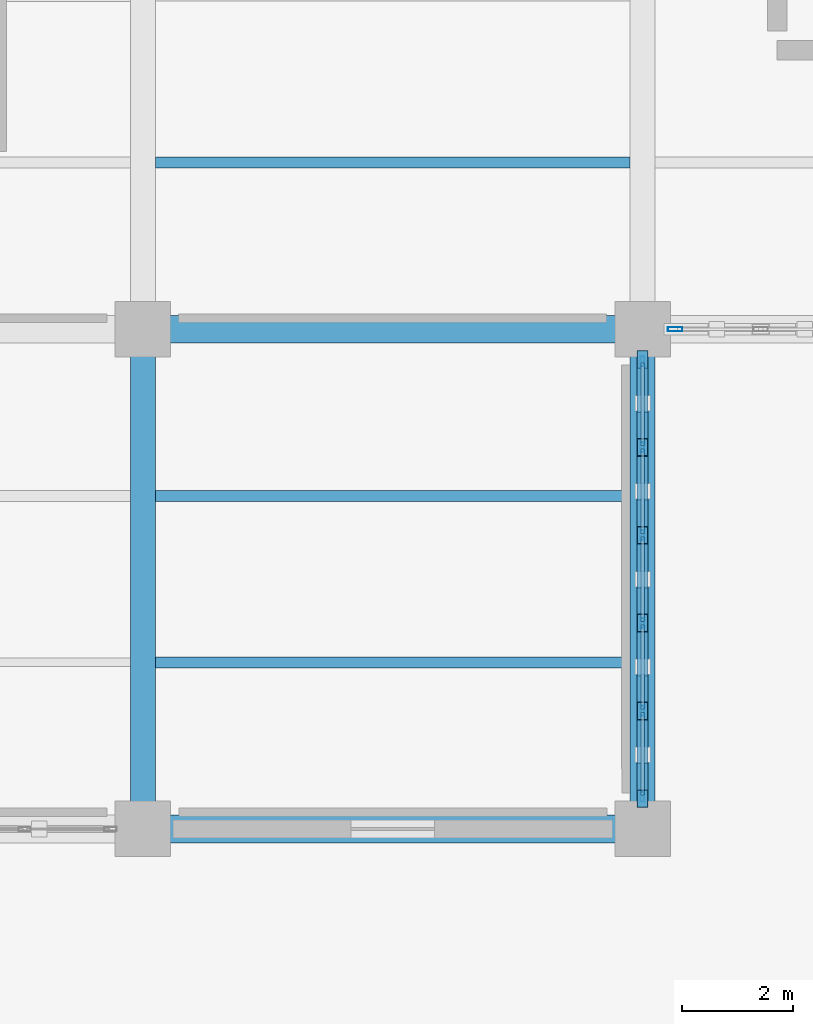
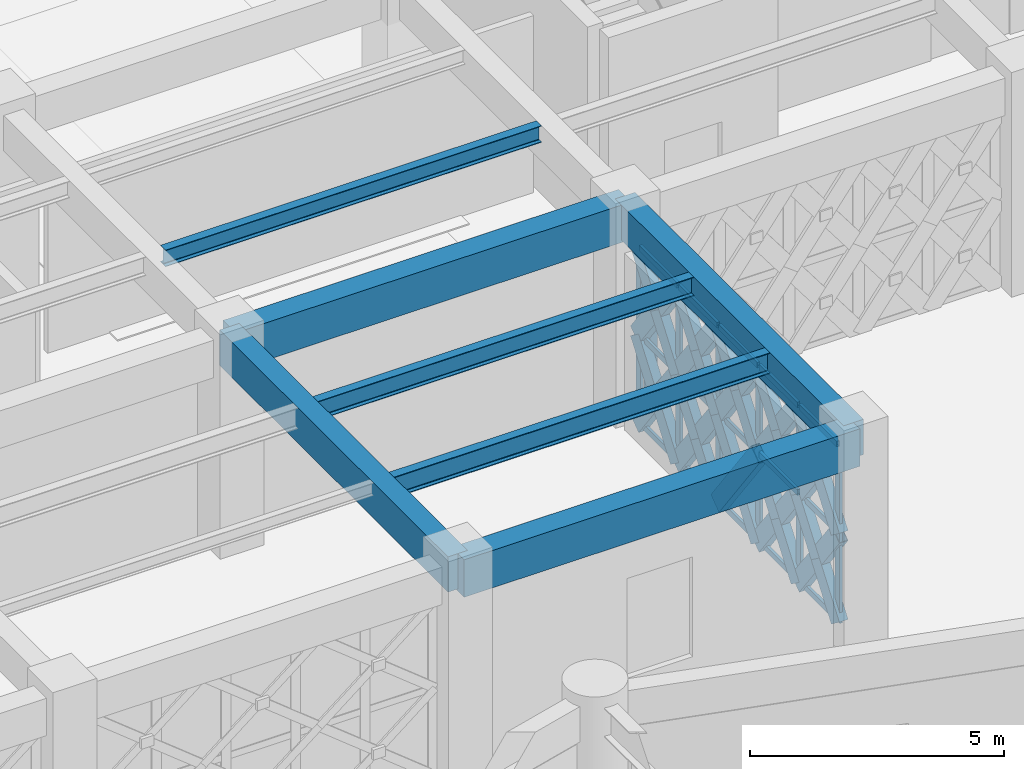
# One storey, part 58 of 140: 52 members, 7 beams, 2 elements without a shape of their own.
"""IFC4 building model written with IfcOpenShell, lengths in metres."""

from ifc_helpers import new_model, si_unit, direction, frame, origin, origin_2d, place, context, subcontext, project, spatial, rectangle, hollow_rectangle, i_section, extrude, material, material_profile, profile_set, type_object, element, aggregate, save


model = new_model("IFC4")

# Units and contexts
model_context = context("Model", 3, precision=1e-05, world=origin(), true_north=direction((0.0, 1.0)))
body_context = subcontext(model_context, "Body", "Model", "MODEL_VIEW")
ifc_project = project(units=[si_unit("LENGTHUNIT", "METRE"), si_unit("AREAUNIT", "SQUARE_METRE"), si_unit("VOLUMEUNIT", "CUBIC_METRE"), si_unit("PLANEANGLEUNIT", "RADIAN"), si_unit("MASSUNIT", "GRAM", prefix="KILO")], contexts=[model_context])

# Site, building, storey
site_placement = place(None, origin())
site = spatial("IfcSite", under=ifc_project, at=site_placement, CompositionType="ELEMENT")
building_placement = place(site_placement, origin())
building = spatial("IfcBuilding", under=site, at=building_placement, Name="Haizhuo Lancet Aquarium", CompositionType="ELEMENT")
storey_placement = place(building_placement, origin())
storey = spatial("IfcBuildingStorey", under=building, at=storey_placement, Name="L00", CompositionType="ELEMENT", Elevation=0.0)

# Beams
ifc_material_1 = material(Name="Concrete C40/50", Category="concrete")
ifc_material_profile_1 = material_profile(ifc_material_1, rectangle(XDim=0.449951171875, YDim=0.85009765625, at=origin_2d()), Name="RC-BM 450x850")
ifc_profile_set_1 = profile_set([ifc_material_profile_1], Name="Concrete C40/50")
beam_type_1 = type_object("IfcBeamType", Name="BM-RC-450x850", PredefinedType="BEAM", material=ifc_profile_set_1)
for number, where, z_axis, x_axis, name in (
    (1, (0.0, 27.0, 4.695068359375), (0.0, 1.0, 0.0), (-1.0, 0.0, 0.0), "L00 V5 primary girder BM-L00-V5-016"),
    (2, (9.0, 27.0, 4.695068359375), (0.0, 1.0, 0.0), (-1.0, 0.0, 0.0), "L00 V5 primary girder BM-L00-V5-023"),
):
    element("IfcBeam", number, at=place(storey_placement, frame(where, z_axis=z_axis, x_axis=x_axis)), inside=storey, type_object=beam_type_1, Name=name, PredefinedType="BEAM", context=body_context, shape_type="SweptSolid", body=[
        extrude(rectangle(XDim=0.449951171875, YDim=0.85009765625, at=origin_2d()), origin(), (0.0, 0.0, 1.0), 9.0),
    ])
ifc_material_profile_2 = material_profile(ifc_material_1, rectangle(XDim=0.5, YDim=0.89990234375, at=origin_2d()), Name="RC-BM 500x900")
ifc_profile_set_2 = profile_set([ifc_material_profile_2], Name="Concrete C40/50")
beam_type_2 = type_object("IfcBeamType", Name="BM-RC-500x900", PredefinedType="BEAM", material=ifc_profile_set_2)
for number, where, z_axis, x_axis, name in (
    (3, (0.0, 27.0, 4.669921875), (1.0, 0.0, 0.0), (0.0, 1.0, 0.0), "L00 V5 primary girder BM-L00-V5-017"),
    (4, (0.0, 36.0, 4.669921875), (1.0, 0.0, 0.0), (0.0, 1.0, 0.0), "L00 V5 primary girder BM-L00-V5-019"),
):
    element("IfcBeam", number, at=place(storey_placement, frame(where, z_axis=z_axis, x_axis=x_axis)), inside=storey, type_object=beam_type_2, Name=name, PredefinedType="BEAM", context=body_context, shape_type="SweptSolid", body=[
        extrude(rectangle(XDim=0.5, YDim=0.89990234375, at=origin_2d()), origin(), (0.0, 0.0, 1.0), 9.0),
    ])

# Curtain wall, members
ifc_material_2 = material(Name="Aluminium 6063-T6", Category="aluminium")
curtain_wall_type_1 = type_object("IfcCurtainWallType", Name="CWD-7910x4270", PredefinedType="NOTDEFINED", material=ifc_material_2)
curtain_wall_1_placement = place(storey_placement, origin())
curtain_wall_1 = element("IfcCurtainWall", 5, at=curtain_wall_1_placement, inside=storey, type_object=curtain_wall_type_1, Name="L00 curtain wall CW-V5-L00-124", PredefinedType="NOTDEFINED")
ifc_material_profile_3 = material_profile(ifc_material_2, hollow_rectangle(XDim=0.06494140625, YDim=0.179931640625, WallThickness=0.00390625, at=origin_2d()), Name="ALU-M 65x180x4")
ifc_profile_set_3 = profile_set([ifc_material_profile_3], Name="Aluminium 6063-T6")
member_type_1 = type_object("IfcMemberType", Name="CW-MUL-1", PredefinedType="MULLION", material=ifc_profile_set_3)
member_1_placement = place(storey_placement, frame((9.0, 35.422119140625, 0.0), z_axis=(0.0, 0.0, 1.0), x_axis=(1.0, 0.0, 0.0)))
member_1 = element("IfcMember", 6, at=member_1_placement, type_object=member_type_1, Name="CWD-79x42 mullion 1", PredefinedType="MULLION", context=body_context, shape_type="SweptSolid", body=[
    extrude(hollow_rectangle(XDim=0.06494140625, YDim=0.179931640625, WallThickness=0.00390625, at=origin_2d()), origin(), (0.0, 0.0, 1.0), 4.27001953125),
])
member_2_placement = place(storey_placement, frame((9.0, 33.873046875, 0.0), z_axis=(0.0, 0.0, 1.0), x_axis=(1.0, 0.0, 0.0)))
member_2 = element("IfcMember", 7, at=member_2_placement, type_object=member_type_1, Name="CWD-79x42 mullion 2", PredefinedType="MULLION", context=body_context, shape_type="SweptSolid", body=[
    extrude(hollow_rectangle(XDim=0.06494140625, YDim=0.179931640625, WallThickness=0.00390625, at=origin_2d()), origin(), (0.0, 0.0, 1.0), 4.27001953125),
])
member_3_placement = place(storey_placement, frame((9.0, 32.291015625, 0.0), z_axis=(0.0, 0.0, 1.0), x_axis=(1.0, 0.0, 0.0)))
member_3 = element("IfcMember", 8, at=member_3_placement, type_object=member_type_1, Name="CWD-79x42 mullion 3", PredefinedType="MULLION", context=body_context, shape_type="SweptSolid", body=[
    extrude(hollow_rectangle(XDim=0.06494140625, YDim=0.179931640625, WallThickness=0.00390625, at=origin_2d()), origin(), (0.0, 0.0, 1.0), 4.27001953125),
])
member_4_placement = place(storey_placement, frame((9.0, 30.708984375, 0.0), z_axis=(0.0, 0.0, 1.0), x_axis=(1.0, 0.0, 0.0)))
member_4 = element("IfcMember", 9, at=member_4_placement, type_object=member_type_1, Name="CWD-79x42 mullion 4", PredefinedType="MULLION", context=body_context, shape_type="SweptSolid", body=[
    extrude(hollow_rectangle(XDim=0.06494140625, YDim=0.179931640625, WallThickness=0.00390625, at=origin_2d()), origin(), (0.0, 0.0, 1.0), 4.27001953125),
])
member_5_placement = place(storey_placement, frame((9.0, 29.126953125, 0.0), z_axis=(0.0, 0.0, 1.0), x_axis=(1.0, 0.0, 0.0)))
member_5 = element("IfcMember", 10, at=member_5_placement, type_object=member_type_1, Name="CWD-79x42 mullion 5", PredefinedType="MULLION", context=body_context, shape_type="SweptSolid", body=[
    extrude(hollow_rectangle(XDim=0.06494140625, YDim=0.179931640625, WallThickness=0.00390625, at=origin_2d()), origin(), (0.0, 0.0, 1.0), 4.27001953125),
])
member_6_placement = place(storey_placement, frame((9.0, 27.577880859375, 0.0), z_axis=(0.0, 0.0, 1.0), x_axis=(1.0, 0.0, 0.0)))
member_6 = element("IfcMember", 11, at=member_6_placement, type_object=member_type_1, Name="CWD-79x42 mullion 6", PredefinedType="MULLION", context=body_context, shape_type="SweptSolid", body=[
    extrude(hollow_rectangle(XDim=0.06494140625, YDim=0.179931640625, WallThickness=0.00390625, at=origin_2d()), origin(), (0.0, 0.0, 1.0), 4.27001953125),
])

# Curtain wall, member
curtain_wall_type_2 = type_object("IfcCurtainWallType", Name="CWD-7910x4220", PredefinedType="NOTDEFINED", material=ifc_material_2)
curtain_wall_2_placement = place(storey_placement, origin())
curtain_wall_2 = element("IfcCurtainWall", 12, at=curtain_wall_2_placement, inside=storey, type_object=curtain_wall_type_2, Name="L00 curtain wall CW-V5-L00-123", PredefinedType="NOTDEFINED")
ifc_material_profile_4 = material_profile(ifc_material_2, hollow_rectangle(XDim=0.080078125, YDim=0.260009765625, WallThickness=0.0048828125, at=origin_2d()), Name="ALU-M 80x260x5")
ifc_profile_set_4 = profile_set([ifc_material_profile_4], Name="Aluminium 6063-T6")
member_type_2 = type_object("IfcMemberType", Name="CW-MUL-3", PredefinedType="MULLION", material=ifc_profile_set_4)
member_7_placement = place(storey_placement, frame((9.5849609375, 36.0, 0.0), z_axis=(0.0, 0.0, 1.0), x_axis=(0.0, -1.0, 0.0)))
member_7 = element("IfcMember", 13, at=member_7_placement, type_object=member_type_2, Name="CWD-79x42 mullion 6", PredefinedType="MULLION", context=body_context, shape_type="SweptSolid", body=[
    extrude(hollow_rectangle(XDim=0.080078125, YDim=0.260009765625, WallThickness=0.0048828125, at=origin_2d()), origin(), (0.0, 0.0, 1.0), 4.219970703125),
])
aggregate(curtain_wall_2, [member_7])

# Member
ifc_material_profile_5 = material_profile(ifc_material_2, hollow_rectangle(XDim=0.06494140625, YDim=0.139892578125, WallThickness=0.00390625, at=origin_2d()), Name="ALU-T 65x140x4")
ifc_profile_set_5 = profile_set([ifc_material_profile_5], Name="Aluminium 6063-T6")
member_type_3 = type_object("IfcMemberType", Name="CW-TRN-1", PredefinedType="NOTDEFINED", material=ifc_profile_set_5)
member_8_placement = place(storey_placement, frame((9.0, 35.389892578125, 0.032958984375), z_axis=(0.0, -1.0, 0.0), x_axis=(1.0, 0.0, 0.0)))
member_8 = element("IfcMember", 14, at=member_8_placement, type_object=member_type_3, Name="CWD-79x42 transom 1.1", ObjectType="TRANSOM", PredefinedType="USERDEFINED", context=body_context, shape_type="SweptSolid", body=[
    extrude(hollow_rectangle(XDim=0.06494140625, YDim=0.139892578125, WallThickness=0.00390625, at=origin_2d()), origin(), (0.0, 0.0, 1.0), 1.48486328125),
])

member_9_placement = place(storey_placement, frame((9.0, 35.389892578125, 2.135009765625), z_axis=(0.0, -1.0, 0.0), x_axis=(1.0, 0.0, 0.0)))
member_9 = element("IfcMember", 15, at=member_9_placement, type_object=member_type_3, Name="CWD-79x42 transom 1.2", ObjectType="TRANSOM", PredefinedType="USERDEFINED", context=body_context, shape_type="SweptSolid", body=[
    extrude(hollow_rectangle(XDim=0.06494140625, YDim=0.139892578125, WallThickness=0.00390625, at=origin_2d()), origin(), (0.0, 0.0, 1.0), 1.48486328125),
])

member_10_placement = place(storey_placement, frame((9.0, 35.389892578125, 4.237060546875), z_axis=(0.0, -1.0, 0.0), x_axis=(1.0, 0.0, 0.0)))
member_10 = element("IfcMember", 16, at=member_10_placement, type_object=member_type_3, Name="CWD-79x42 transom 1.3", ObjectType="TRANSOM", PredefinedType="USERDEFINED", context=body_context, shape_type="SweptSolid", body=[
    extrude(hollow_rectangle(XDim=0.06494140625, YDim=0.139892578125, WallThickness=0.00390625, at=origin_2d()), origin(), (0.0, 0.0, 1.0), 1.48486328125),
])

member_11_placement = place(storey_placement, frame((9.0, 33.840087890625, 0.032958984375), z_axis=(0.0, -1.0, 0.0), x_axis=(1.0, 0.0, 0.0)))
member_11 = element("IfcMember", 17, at=member_11_placement, type_object=member_type_3, Name="CWD-79x42 transom 2.1", ObjectType="TRANSOM", PredefinedType="USERDEFINED", context=body_context, shape_type="SweptSolid", body=[
    extrude(hollow_rectangle(XDim=0.06494140625, YDim=0.139892578125, WallThickness=0.00390625, at=origin_2d()), origin(), (0.0, 0.0, 1.0), 1.51611328125),
])

member_12_placement = place(storey_placement, frame((9.0, 33.840087890625, 2.135009765625), z_axis=(0.0, -1.0, 0.0), x_axis=(1.0, 0.0, 0.0)))
member_12 = element("IfcMember", 18, at=member_12_placement, type_object=member_type_3, Name="CWD-79x42 transom 2.2", ObjectType="TRANSOM", PredefinedType="USERDEFINED", context=body_context, shape_type="SweptSolid", body=[
    extrude(hollow_rectangle(XDim=0.06494140625, YDim=0.139892578125, WallThickness=0.00390625, at=origin_2d()), origin(), (0.0, 0.0, 1.0), 1.51611328125),
])

member_13_placement = place(storey_placement, frame((9.0, 33.840087890625, 4.237060546875), z_axis=(0.0, -1.0, 0.0), x_axis=(1.0, 0.0, 0.0)))
member_13 = element("IfcMember", 19, at=member_13_placement, type_object=member_type_3, Name="CWD-79x42 transom 2.3", ObjectType="TRANSOM", PredefinedType="USERDEFINED", context=body_context, shape_type="SweptSolid", body=[
    extrude(hollow_rectangle(XDim=0.06494140625, YDim=0.139892578125, WallThickness=0.00390625, at=origin_2d()), origin(), (0.0, 0.0, 1.0), 1.51611328125),
])

member_14_placement = place(storey_placement, frame((9.0, 32.258056640625, 0.032958984375), z_axis=(0.0, -1.0, 0.0), x_axis=(1.0, 0.0, 0.0)))
member_14 = element("IfcMember", 20, at=member_14_placement, type_object=member_type_3, Name="CWD-79x42 transom 3.1", ObjectType="TRANSOM", PredefinedType="USERDEFINED", context=body_context, shape_type="SweptSolid", body=[
    extrude(hollow_rectangle(XDim=0.06494140625, YDim=0.139892578125, WallThickness=0.00390625, at=origin_2d()), origin(), (0.0, 0.0, 1.0), 1.51708984375),
])

member_15_placement = place(storey_placement, frame((9.0, 32.258056640625, 2.135009765625), z_axis=(0.0, -1.0, 0.0), x_axis=(1.0, 0.0, 0.0)))
member_15 = element("IfcMember", 21, at=member_15_placement, type_object=member_type_3, Name="CWD-79x42 transom 3.2", ObjectType="TRANSOM", PredefinedType="USERDEFINED", context=body_context, shape_type="SweptSolid", body=[
    extrude(hollow_rectangle(XDim=0.06494140625, YDim=0.139892578125, WallThickness=0.00390625, at=origin_2d()), origin(), (0.0, 0.0, 1.0), 1.51708984375),
])

member_16_placement = place(storey_placement, frame((9.0, 32.258056640625, 4.237060546875), z_axis=(0.0, -1.0, 0.0), x_axis=(1.0, 0.0, 0.0)))
member_16 = element("IfcMember", 22, at=member_16_placement, type_object=member_type_3, Name="CWD-79x42 transom 3.3", ObjectType="TRANSOM", PredefinedType="USERDEFINED", context=body_context, shape_type="SweptSolid", body=[
    extrude(hollow_rectangle(XDim=0.06494140625, YDim=0.139892578125, WallThickness=0.00390625, at=origin_2d()), origin(), (0.0, 0.0, 1.0), 1.51708984375),
])

member_17_placement = place(storey_placement, frame((9.0, 30.677001953125, 0.032958984375), z_axis=(0.0, -1.0, 0.0), x_axis=(1.0, 0.0, 0.0)))
member_17 = element("IfcMember", 23, at=member_17_placement, type_object=member_type_3, Name="CWD-79x42 transom 4.1", ObjectType="TRANSOM", PredefinedType="USERDEFINED", context=body_context, shape_type="SweptSolid", body=[
    extrude(hollow_rectangle(XDim=0.06494140625, YDim=0.139892578125, WallThickness=0.00390625, at=origin_2d()), origin(), (0.0, 0.0, 1.0), 1.51708984375),
])

member_18_placement = place(storey_placement, frame((9.0, 30.677001953125, 2.135009765625), z_axis=(0.0, -1.0, 0.0), x_axis=(1.0, 0.0, 0.0)))
member_18 = element("IfcMember", 24, at=member_18_placement, type_object=member_type_3, Name="CWD-79x42 transom 4.2", ObjectType="TRANSOM", PredefinedType="USERDEFINED", context=body_context, shape_type="SweptSolid", body=[
    extrude(hollow_rectangle(XDim=0.06494140625, YDim=0.139892578125, WallThickness=0.00390625, at=origin_2d()), origin(), (0.0, 0.0, 1.0), 1.51708984375),
])

member_19_placement = place(storey_placement, frame((9.0, 30.677001953125, 4.237060546875), z_axis=(0.0, -1.0, 0.0), x_axis=(1.0, 0.0, 0.0)))
member_19 = element("IfcMember", 25, at=member_19_placement, type_object=member_type_3, Name="CWD-79x42 transom 4.3", ObjectType="TRANSOM", PredefinedType="USERDEFINED", context=body_context, shape_type="SweptSolid", body=[
    extrude(hollow_rectangle(XDim=0.06494140625, YDim=0.139892578125, WallThickness=0.00390625, at=origin_2d()), origin(), (0.0, 0.0, 1.0), 1.51708984375),
])

member_20_placement = place(storey_placement, frame((9.0, 29.094970703125, 0.032958984375), z_axis=(0.0, -1.0, 0.0), x_axis=(1.0, 0.0, 0.0)))
member_20 = element("IfcMember", 26, at=member_20_placement, type_object=member_type_3, Name="CWD-79x42 transom 5.1", ObjectType="TRANSOM", PredefinedType="USERDEFINED", context=body_context, shape_type="SweptSolid", body=[
    extrude(hollow_rectangle(XDim=0.06494140625, YDim=0.139892578125, WallThickness=0.00390625, at=origin_2d()), origin(), (0.0, 0.0, 1.0), 1.48486328125),
])

member_21_placement = place(storey_placement, frame((9.0, 29.094970703125, 2.135009765625), z_axis=(0.0, -1.0, 0.0), x_axis=(1.0, 0.0, 0.0)))
member_21 = element("IfcMember", 27, at=member_21_placement, type_object=member_type_3, Name="CWD-79x42 transom 5.2", ObjectType="TRANSOM", PredefinedType="USERDEFINED", context=body_context, shape_type="SweptSolid", body=[
    extrude(hollow_rectangle(XDim=0.06494140625, YDim=0.139892578125, WallThickness=0.00390625, at=origin_2d()), origin(), (0.0, 0.0, 1.0), 1.48486328125),
])

member_22_placement = place(storey_placement, frame((9.0, 29.094970703125, 4.237060546875), z_axis=(0.0, -1.0, 0.0), x_axis=(1.0, 0.0, 0.0)))
member_22 = element("IfcMember", 28, at=member_22_placement, type_object=member_type_3, Name="CWD-79x42 transom 5.3", ObjectType="TRANSOM", PredefinedType="USERDEFINED", context=body_context, shape_type="SweptSolid", body=[
    extrude(hollow_rectangle(XDim=0.06494140625, YDim=0.139892578125, WallThickness=0.00390625, at=origin_2d()), origin(), (0.0, 0.0, 1.0), 1.48486328125),
])

aggregate(curtain_wall_1, [member_1, member_2, member_3, member_4, member_5, member_6, member_8, member_9, member_10, member_11, member_12, member_13, member_14, member_15, member_16, member_17, member_18, member_19, member_20, member_21, member_22])

# Beams
ifc_material_3 = material(Name="Steel S355", Category="steel")
ifc_material_profile_6 = material_profile(ifc_material_3, i_section(OverallWidth=0.199951171875, OverallDepth=0.39990234375, WebThickness=0.008056640625, FlangeThickness=0.012939453125, FilletRadius=0.01611328125, at=origin_2d()), Name="HN 400x200x8x13")
ifc_profile_set_6 = profile_set([ifc_material_profile_6], Name="Steel S355")
beam_type_3 = type_object("IfcBeamType", Name="JST-ST-HN400", PredefinedType="JOIST", material=ifc_profile_set_6)
beam_1_placement = place(storey_placement, frame((0.22509765625, 39.0, 4.919921875), z_axis=(1.0, 0.0, 0.0), x_axis=(0.0, 1.0, 0.0)))
element("IfcBeam", 29, at=beam_1_placement, inside=storey, type_object=beam_type_3, Name="L00 V5 secondary floor joist 16", PredefinedType="JOIST", context=body_context, shape_type="SweptSolid", body=[
    extrude(i_section(OverallWidth=0.199951171875, OverallDepth=0.39990234375, WebThickness=0.008056640625, FlangeThickness=0.012939453125, FilletRadius=0.01611328125, at=origin_2d()), origin(), (0.0, 0.0, 1.0), 8.5498046875),
])
ifc_material_profile_7 = material_profile(ifc_material_3, i_section(OverallWidth=0.199951171875, OverallDepth=0.449951171875, WebThickness=0.009033203125, FlangeThickness=0.013916015625, FilletRadius=0.01806640625, at=origin_2d()), Name="HN 450x200x9x14")
ifc_profile_set_7 = profile_set([ifc_material_profile_7], Name="Steel S355")
beam_type_4 = type_object("IfcBeamType", Name="JST-ST-HN450", PredefinedType="JOIST", material=ifc_profile_set_7)
beam_2_placement = place(storey_placement, frame((0.22509765625, 33.0, 4.89501953125), z_axis=(1.0, 0.0, 0.0), x_axis=(0.0, 1.0, 0.0)))
element("IfcBeam", 30, at=beam_2_placement, inside=storey, type_object=beam_type_4, Name="L00 V5 secondary floor joist 15", PredefinedType="JOIST", context=body_context, shape_type="SweptSolid", body=[
    extrude(i_section(OverallWidth=0.199951171875, OverallDepth=0.449951171875, WebThickness=0.009033203125, FlangeThickness=0.013916015625, FilletRadius=0.01806640625, at=origin_2d()), origin(), (0.0, 0.0, 1.0), 8.5498046875),
])
ifc_material_profile_8 = material_profile(ifc_material_3, i_section(OverallWidth=0.199951171875, OverallDepth=0.5, WebThickness=0.010009765625, FlangeThickness=0.01611328125, FilletRadius=0.02001953125, at=origin_2d()), Name="HN 500x200x10x16")
ifc_profile_set_8 = profile_set([ifc_material_profile_8], Name="Steel S355")
beam_type_5 = type_object("IfcBeamType", Name="JST-ST-HN500", PredefinedType="JOIST", material=ifc_profile_set_8)
beam_3_placement = place(storey_placement, frame((0.22509765625, 30.0, 4.8701171875), z_axis=(1.0, 0.0, 0.0), x_axis=(0.0, 1.0, 0.0)))
element("IfcBeam", 31, at=beam_3_placement, inside=storey, type_object=beam_type_5, Name="L00 V5 secondary floor joist 14", PredefinedType="JOIST", context=body_context, shape_type="SweptSolid", body=[
    extrude(i_section(OverallWidth=0.199951171875, OverallDepth=0.5, WebThickness=0.010009765625, FlangeThickness=0.01611328125, FilletRadius=0.02001953125, at=origin_2d()), origin(), (0.0, 0.0, 1.0), 8.5498046875),
])

# Members
ifc_material_profile_9 = material_profile(ifc_material_3, hollow_rectangle(XDim=0.199951171875, YDim=0.39990234375, WallThickness=0.011962890625, at=origin_2d()), Name="RHS 200x400x12")
ifc_profile_set_9 = profile_set([ifc_material_profile_9], Name="Steel S355")
member_type_4 = type_object("IfcMemberType", Name="MEM-LB-RHS200x400", PredefinedType="BRACE", material=ifc_profile_set_9)
member_23_placement = place(storey_placement, frame((9.0, 35.455078125, 0.0), z_axis=(0.0, -0.595359375958, 0.803459528202), x_axis=(1.0, 0.0, 0.0)))
element("IfcMember", 32, at=member_23_placement, inside=storey, type_object=member_type_4, Name="Gothic lancet continuous diagonal brace CW-V5-L00-124 1A", PredefinedType="BRACE", context=body_context, shape_type="SweptSolid", body=[
    extrude(hollow_rectangle(XDim=0.199951171875, YDim=0.39990234375, WallThickness=0.011962890625, at=origin_2d()), origin(), (0.0, 0.0, 1.0), 2.6572265625),
])
member_24_placement = place(storey_placement, frame((9.0, 33.873046875, 0.0), z_axis=(0.0, 0.595579178992, 0.803296608702), x_axis=(-1.0, 0.0, 0.0)))
element("IfcMember", 33, at=member_24_placement, inside=storey, type_object=member_type_4, Name="Gothic lancet split diagonal brace CW-V5-L00-124 1B1", PredefinedType="BRACE", context=body_context, shape_type="SweptSolid", body=[
    extrude(hollow_rectangle(XDim=0.199951171875, YDim=0.39990234375, WallThickness=0.011962890625, at=origin_2d()), origin(), (0.0, 0.0, 1.0), 1.328125),
])
member_25_placement = place(storey_placement, frame((9.0, 34.6640625, 1.06689453125), z_axis=(0.0, 0.595139690604, 0.803622267404), x_axis=(-1.0, 0.0, 0.0)))
element("IfcMember", 34, at=member_25_placement, inside=storey, type_object=member_type_4, Name="Gothic lancet split diagonal brace CW-V5-L00-124 1B2", PredefinedType="BRACE", context=body_context, shape_type="SweptSolid", body=[
    extrude(hollow_rectangle(XDim=0.199951171875, YDim=0.39990234375, WallThickness=0.011962890625, at=origin_2d()), origin(), (0.0, 0.0, 1.0), 1.3291015625),
])
member_26_placement = place(storey_placement, frame((9.0, 35.455078125, 2.135009765625), z_axis=(0.0, -0.595359375958, 0.803459528202), x_axis=(1.0, 0.0, 0.0)))
element("IfcMember", 35, at=member_26_placement, inside=storey, type_object=member_type_4, Name="Gothic lancet continuous diagonal brace CW-V5-L00-124 2A", PredefinedType="BRACE", context=body_context, shape_type="SweptSolid", body=[
    extrude(hollow_rectangle(XDim=0.199951171875, YDim=0.39990234375, WallThickness=0.011962890625, at=origin_2d()), origin(), (0.0, 0.0, 1.0), 2.6572265625),
])
member_27_placement = place(storey_placement, frame((9.0, 33.873046875, 2.135009765625), z_axis=(0.0, 0.595579178992, 0.803296608702), x_axis=(-1.0, 0.0, 0.0)))
element("IfcMember", 36, at=member_27_placement, inside=storey, type_object=member_type_4, Name="Gothic lancet split diagonal brace CW-V5-L00-124 2B1", PredefinedType="BRACE", context=body_context, shape_type="SweptSolid", body=[
    extrude(hollow_rectangle(XDim=0.199951171875, YDim=0.39990234375, WallThickness=0.011962890625, at=origin_2d()), origin(), (0.0, 0.0, 1.0), 1.328125),
])
member_28_placement = place(storey_placement, frame((9.0, 34.6640625, 3.201904296875), z_axis=(0.0, 0.595139690604, 0.803622267404), x_axis=(-1.0, 0.0, 0.0)))
element("IfcMember", 37, at=member_28_placement, inside=storey, type_object=member_type_4, Name="Gothic lancet split diagonal brace CW-V5-L00-124 2B2", PredefinedType="BRACE", context=body_context, shape_type="SweptSolid", body=[
    extrude(hollow_rectangle(XDim=0.199951171875, YDim=0.39990234375, WallThickness=0.011962890625, at=origin_2d()), origin(), (0.0, 0.0, 1.0), 1.3291015625),
])
member_29_placement = place(storey_placement, frame((9.0, 33.873046875, 0.0), z_axis=(0.0, -0.595359375958, 0.803459528202), x_axis=(1.0, 0.0, 0.0)))
element("IfcMember", 38, at=member_29_placement, inside=storey, type_object=member_type_4, Name="Gothic lancet continuous diagonal brace CW-V5-L00-124 3A", PredefinedType="BRACE", context=body_context, shape_type="SweptSolid", body=[
    extrude(hollow_rectangle(XDim=0.199951171875, YDim=0.39990234375, WallThickness=0.011962890625, at=origin_2d()), origin(), (0.0, 0.0, 1.0), 2.6572265625),
])
member_30_placement = place(storey_placement, frame((9.0, 32.291015625, 0.0), z_axis=(0.0, 0.595579178992, 0.803296608702), x_axis=(-1.0, 0.0, 0.0)))
element("IfcMember", 39, at=member_30_placement, inside=storey, type_object=member_type_4, Name="Gothic lancet split diagonal brace CW-V5-L00-124 3B1", PredefinedType="BRACE", context=body_context, shape_type="SweptSolid", body=[
    extrude(hollow_rectangle(XDim=0.199951171875, YDim=0.39990234375, WallThickness=0.011962890625, at=origin_2d()), origin(), (0.0, 0.0, 1.0), 1.328125),
])
member_31_placement = place(storey_placement, frame((9.0, 33.08203125, 1.06689453125), z_axis=(0.0, 0.595139690604, 0.803622267404), x_axis=(-1.0, 0.0, 0.0)))
element("IfcMember", 40, at=member_31_placement, inside=storey, type_object=member_type_4, Name="Gothic lancet split diagonal brace CW-V5-L00-124 3B2", PredefinedType="BRACE", context=body_context, shape_type="SweptSolid", body=[
    extrude(hollow_rectangle(XDim=0.199951171875, YDim=0.39990234375, WallThickness=0.011962890625, at=origin_2d()), origin(), (0.0, 0.0, 1.0), 1.3291015625),
])
member_32_placement = place(storey_placement, frame((9.0, 33.873046875, 2.135009765625), z_axis=(0.0, -0.595359375958, 0.803459528202), x_axis=(1.0, 0.0, 0.0)))
element("IfcMember", 41, at=member_32_placement, inside=storey, type_object=member_type_4, Name="Gothic lancet continuous diagonal brace CW-V5-L00-124 4A", PredefinedType="BRACE", context=body_context, shape_type="SweptSolid", body=[
    extrude(hollow_rectangle(XDim=0.199951171875, YDim=0.39990234375, WallThickness=0.011962890625, at=origin_2d()), origin(), (0.0, 0.0, 1.0), 2.6572265625),
])
member_33_placement = place(storey_placement, frame((9.0, 32.291015625, 2.135009765625), z_axis=(0.0, 0.595579178992, 0.803296608702), x_axis=(-1.0, 0.0, 0.0)))
element("IfcMember", 42, at=member_33_placement, inside=storey, type_object=member_type_4, Name="Gothic lancet split diagonal brace CW-V5-L00-124 4B1", PredefinedType="BRACE", context=body_context, shape_type="SweptSolid", body=[
    extrude(hollow_rectangle(XDim=0.199951171875, YDim=0.39990234375, WallThickness=0.011962890625, at=origin_2d()), origin(), (0.0, 0.0, 1.0), 1.328125),
])
member_34_placement = place(storey_placement, frame((9.0, 33.08203125, 3.201904296875), z_axis=(0.0, 0.595139690604, 0.803622267404), x_axis=(-1.0, 0.0, 0.0)))
element("IfcMember", 43, at=member_34_placement, inside=storey, type_object=member_type_4, Name="Gothic lancet split diagonal brace CW-V5-L00-124 4B2", PredefinedType="BRACE", context=body_context, shape_type="SweptSolid", body=[
    extrude(hollow_rectangle(XDim=0.199951171875, YDim=0.39990234375, WallThickness=0.011962890625, at=origin_2d()), origin(), (0.0, 0.0, 1.0), 1.3291015625),
])
member_35_placement = place(storey_placement, frame((9.0, 32.291015625, 0.0), z_axis=(0.0, -0.595359375958, 0.803459528202), x_axis=(1.0, 0.0, 0.0)))
element("IfcMember", 44, at=member_35_placement, inside=storey, type_object=member_type_4, Name="Gothic lancet continuous diagonal brace CW-V5-L00-124 5A", PredefinedType="BRACE", context=body_context, shape_type="SweptSolid", body=[
    extrude(hollow_rectangle(XDim=0.199951171875, YDim=0.39990234375, WallThickness=0.011962890625, at=origin_2d()), origin(), (0.0, 0.0, 1.0), 2.6572265625),
])
member_36_placement = place(storey_placement, frame((9.0, 30.708984375, 0.0), z_axis=(0.0, 0.595579178992, 0.803296608702), x_axis=(-1.0, 0.0, 0.0)))
element("IfcMember", 45, at=member_36_placement, inside=storey, type_object=member_type_4, Name="Gothic lancet split diagonal brace CW-V5-L00-124 5B1", PredefinedType="BRACE", context=body_context, shape_type="SweptSolid", body=[
    extrude(hollow_rectangle(XDim=0.199951171875, YDim=0.39990234375, WallThickness=0.011962890625, at=origin_2d()), origin(), (0.0, 0.0, 1.0), 1.328125),
])
member_37_placement = place(storey_placement, frame((9.0, 31.5, 1.06689453125), z_axis=(0.0, 0.595139690604, 0.803622267404), x_axis=(-1.0, 0.0, 0.0)))
element("IfcMember", 46, at=member_37_placement, inside=storey, type_object=member_type_4, Name="Gothic lancet split diagonal brace CW-V5-L00-124 5B2", PredefinedType="BRACE", context=body_context, shape_type="SweptSolid", body=[
    extrude(hollow_rectangle(XDim=0.199951171875, YDim=0.39990234375, WallThickness=0.011962890625, at=origin_2d()), origin(), (0.0, 0.0, 1.0), 1.3291015625),
])
member_38_placement = place(storey_placement, frame((9.0, 32.291015625, 2.135009765625), z_axis=(0.0, -0.595359375958, 0.803459528202), x_axis=(1.0, 0.0, 0.0)))
element("IfcMember", 47, at=member_38_placement, inside=storey, type_object=member_type_4, Name="Gothic lancet continuous diagonal brace CW-V5-L00-124 6A", PredefinedType="BRACE", context=body_context, shape_type="SweptSolid", body=[
    extrude(hollow_rectangle(XDim=0.199951171875, YDim=0.39990234375, WallThickness=0.011962890625, at=origin_2d()), origin(), (0.0, 0.0, 1.0), 2.6572265625),
])
member_39_placement = place(storey_placement, frame((9.0, 30.708984375, 2.135009765625), z_axis=(0.0, 0.595579178992, 0.803296608702), x_axis=(-1.0, 0.0, 0.0)))
element("IfcMember", 48, at=member_39_placement, inside=storey, type_object=member_type_4, Name="Gothic lancet split diagonal brace CW-V5-L00-124 6B1", PredefinedType="BRACE", context=body_context, shape_type="SweptSolid", body=[
    extrude(hollow_rectangle(XDim=0.199951171875, YDim=0.39990234375, WallThickness=0.011962890625, at=origin_2d()), origin(), (0.0, 0.0, 1.0), 1.328125),
])
member_40_placement = place(storey_placement, frame((9.0, 31.5, 3.201904296875), z_axis=(0.0, 0.595139690604, 0.803622267404), x_axis=(-1.0, 0.0, 0.0)))
element("IfcMember", 49, at=member_40_placement, inside=storey, type_object=member_type_4, Name="Gothic lancet split diagonal brace CW-V5-L00-124 6B2", PredefinedType="BRACE", context=body_context, shape_type="SweptSolid", body=[
    extrude(hollow_rectangle(XDim=0.199951171875, YDim=0.39990234375, WallThickness=0.011962890625, at=origin_2d()), origin(), (0.0, 0.0, 1.0), 1.3291015625),
])
member_41_placement = place(storey_placement, frame((9.0, 30.708984375, 0.0), z_axis=(0.0, -0.595359375958, 0.803459528202), x_axis=(1.0, 0.0, 0.0)))
element("IfcMember", 50, at=member_41_placement, inside=storey, type_object=member_type_4, Name="Gothic lancet continuous diagonal brace CW-V5-L00-124 7A", PredefinedType="BRACE", context=body_context, shape_type="SweptSolid", body=[
    extrude(hollow_rectangle(XDim=0.199951171875, YDim=0.39990234375, WallThickness=0.011962890625, at=origin_2d()), origin(), (0.0, 0.0, 1.0), 2.6572265625),
])
member_42_placement = place(storey_placement, frame((9.0, 29.126953125, 0.0), z_axis=(0.0, 0.595579178992, 0.803296608702), x_axis=(-1.0, 0.0, 0.0)))
element("IfcMember", 51, at=member_42_placement, inside=storey, type_object=member_type_4, Name="Gothic lancet split diagonal brace CW-V5-L00-124 7B1", PredefinedType="BRACE", context=body_context, shape_type="SweptSolid", body=[
    extrude(hollow_rectangle(XDim=0.199951171875, YDim=0.39990234375, WallThickness=0.011962890625, at=origin_2d()), origin(), (0.0, 0.0, 1.0), 1.328125),
])
member_43_placement = place(storey_placement, frame((9.0, 29.91796875, 1.06689453125), z_axis=(0.0, 0.595139690604, 0.803622267404), x_axis=(-1.0, 0.0, 0.0)))
element("IfcMember", 52, at=member_43_placement, inside=storey, type_object=member_type_4, Name="Gothic lancet split diagonal brace CW-V5-L00-124 7B2", PredefinedType="BRACE", context=body_context, shape_type="SweptSolid", body=[
    extrude(hollow_rectangle(XDim=0.199951171875, YDim=0.39990234375, WallThickness=0.011962890625, at=origin_2d()), origin(), (0.0, 0.0, 1.0), 1.3291015625),
])
member_44_placement = place(storey_placement, frame((9.0, 30.708984375, 2.135009765625), z_axis=(0.0, -0.595359375958, 0.803459528202), x_axis=(1.0, 0.0, 0.0)))
element("IfcMember", 53, at=member_44_placement, inside=storey, type_object=member_type_4, Name="Gothic lancet continuous diagonal brace CW-V5-L00-124 8A", PredefinedType="BRACE", context=body_context, shape_type="SweptSolid", body=[
    extrude(hollow_rectangle(XDim=0.199951171875, YDim=0.39990234375, WallThickness=0.011962890625, at=origin_2d()), origin(), (0.0, 0.0, 1.0), 2.6572265625),
])
member_45_placement = place(storey_placement, frame((9.0, 29.126953125, 2.135009765625), z_axis=(0.0, 0.595579178992, 0.803296608702), x_axis=(-1.0, 0.0, 0.0)))
element("IfcMember", 54, at=member_45_placement, inside=storey, type_object=member_type_4, Name="Gothic lancet split diagonal brace CW-V5-L00-124 8B1", PredefinedType="BRACE", context=body_context, shape_type="SweptSolid", body=[
    extrude(hollow_rectangle(XDim=0.199951171875, YDim=0.39990234375, WallThickness=0.011962890625, at=origin_2d()), origin(), (0.0, 0.0, 1.0), 1.328125),
])
member_46_placement = place(storey_placement, frame((9.0, 29.91796875, 3.201904296875), z_axis=(0.0, 0.595139690604, 0.803622267404), x_axis=(-1.0, 0.0, 0.0)))
element("IfcMember", 55, at=member_46_placement, inside=storey, type_object=member_type_4, Name="Gothic lancet split diagonal brace CW-V5-L00-124 8B2", PredefinedType="BRACE", context=body_context, shape_type="SweptSolid", body=[
    extrude(hollow_rectangle(XDim=0.199951171875, YDim=0.39990234375, WallThickness=0.011962890625, at=origin_2d()), origin(), (0.0, 0.0, 1.0), 1.3291015625),
])
member_47_placement = place(storey_placement, frame((9.0, 29.126953125, 0.0), z_axis=(0.0, -0.595359375958, 0.803459528202), x_axis=(1.0, 0.0, 0.0)))
element("IfcMember", 56, at=member_47_placement, inside=storey, type_object=member_type_4, Name="Gothic lancet continuous diagonal brace CW-V5-L00-124 9A", PredefinedType="BRACE", context=body_context, shape_type="SweptSolid", body=[
    extrude(hollow_rectangle(XDim=0.199951171875, YDim=0.39990234375, WallThickness=0.011962890625, at=origin_2d()), origin(), (0.0, 0.0, 1.0), 2.6572265625),
])
member_48_placement = place(storey_placement, frame((9.0, 27.544921875, 0.0), z_axis=(0.0, 0.595579178992, 0.803296608702), x_axis=(-1.0, 0.0, 0.0)))
element("IfcMember", 57, at=member_48_placement, inside=storey, type_object=member_type_4, Name="Gothic lancet split diagonal brace CW-V5-L00-124 9B1", PredefinedType="BRACE", context=body_context, shape_type="SweptSolid", body=[
    extrude(hollow_rectangle(XDim=0.199951171875, YDim=0.39990234375, WallThickness=0.011962890625, at=origin_2d()), origin(), (0.0, 0.0, 1.0), 1.328125),
])
member_49_placement = place(storey_placement, frame((9.0, 28.3359375, 1.06689453125), z_axis=(0.0, 0.595139690604, 0.803622267404), x_axis=(-1.0, 0.0, 0.0)))
element("IfcMember", 58, at=member_49_placement, inside=storey, type_object=member_type_4, Name="Gothic lancet split diagonal brace CW-V5-L00-124 9B2", PredefinedType="BRACE", context=body_context, shape_type="SweptSolid", body=[
    extrude(hollow_rectangle(XDim=0.199951171875, YDim=0.39990234375, WallThickness=0.011962890625, at=origin_2d()), origin(), (0.0, 0.0, 1.0), 1.3291015625),
])
member_50_placement = place(storey_placement, frame((9.0, 29.126953125, 2.135009765625), z_axis=(0.0, -0.595359375958, 0.803459528202), x_axis=(1.0, 0.0, 0.0)))
element("IfcMember", 59, at=member_50_placement, inside=storey, type_object=member_type_4, Name="Gothic lancet continuous diagonal brace CW-V5-L00-124 10A", PredefinedType="BRACE", context=body_context, shape_type="SweptSolid", body=[
    extrude(hollow_rectangle(XDim=0.199951171875, YDim=0.39990234375, WallThickness=0.011962890625, at=origin_2d()), origin(), (0.0, 0.0, 1.0), 2.6572265625),
])
member_51_placement = place(storey_placement, frame((9.0, 27.544921875, 2.135009765625), z_axis=(0.0, 0.595579178992, 0.803296608702), x_axis=(-1.0, 0.0, 0.0)))
element("IfcMember", 60, at=member_51_placement, inside=storey, type_object=member_type_4, Name="Gothic lancet split diagonal brace CW-V5-L00-124 10B1", PredefinedType="BRACE", context=body_context, shape_type="SweptSolid", body=[
    extrude(hollow_rectangle(XDim=0.199951171875, YDim=0.39990234375, WallThickness=0.011962890625, at=origin_2d()), origin(), (0.0, 0.0, 1.0), 1.328125),
])
member_52_placement = place(storey_placement, frame((9.0, 28.3359375, 3.201904296875), z_axis=(0.0, 0.595139690604, 0.803622267404), x_axis=(-1.0, 0.0, 0.0)))
element("IfcMember", 61, at=member_52_placement, inside=storey, type_object=member_type_4, Name="Gothic lancet split diagonal brace CW-V5-L00-124 10B2", PredefinedType="BRACE", context=body_context, shape_type="SweptSolid", body=[
    extrude(hollow_rectangle(XDim=0.199951171875, YDim=0.39990234375, WallThickness=0.011962890625, at=origin_2d()), origin(), (0.0, 0.0, 1.0), 1.3291015625),
])

save(model, "model.ifc")
